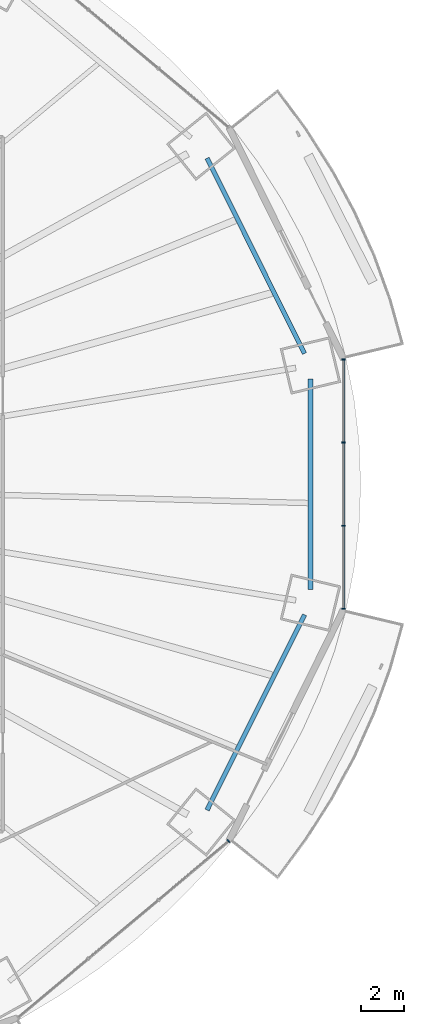
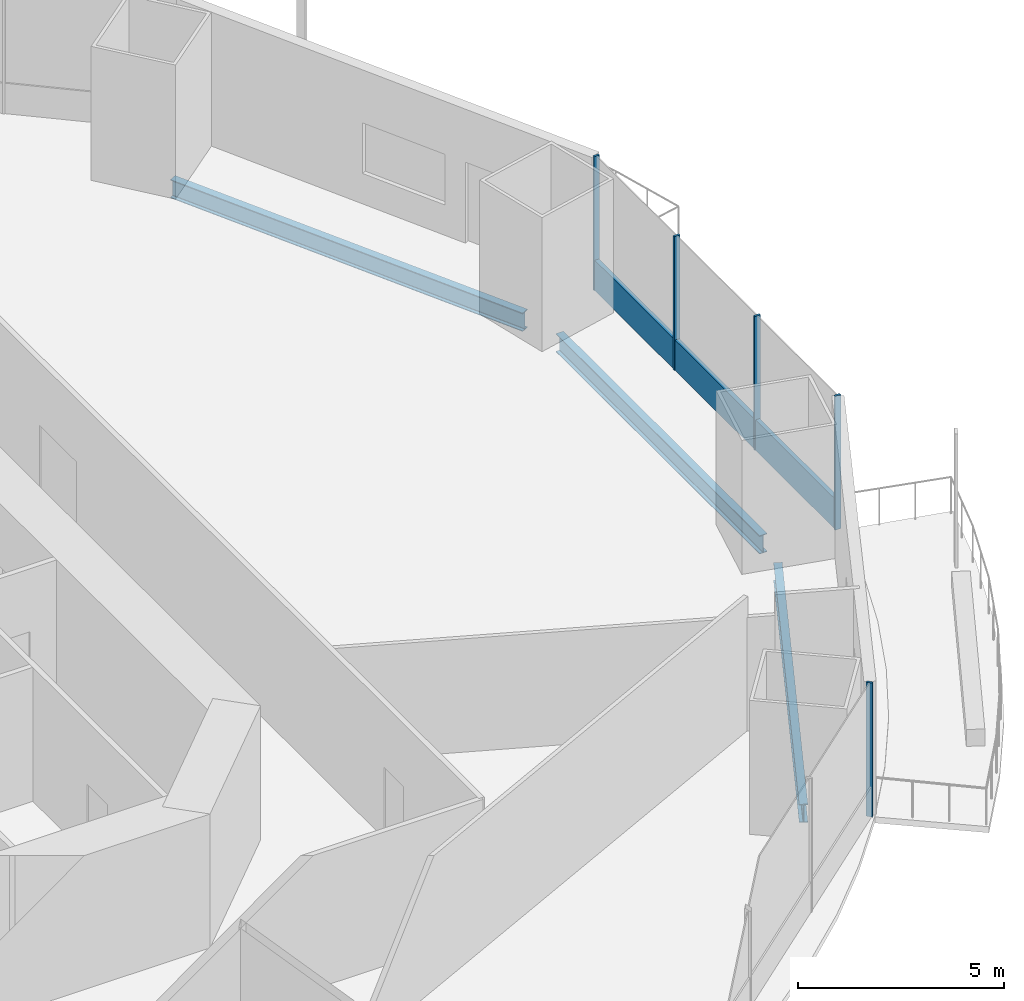
# One storey, part 11 of 23: 6 members, 3 beams, 2 elements without a shape of their own.
"""IFC4 building model written with IfcOpenShell, lengths in metres."""

from ifc_helpers import new_model, si_unit, direction, frame, origin, origin_2d, place, context, subcontext, project, spatial, rectangle, i_section, extrude, material, material_profile, profile_set, type_object, element, aggregate, save


model = new_model("IFC4")

# Units and contexts
model_context = context("Model", 3, precision=1e-05, world=origin(), true_north=direction((0.0, 1.0)))
body_context = subcontext(model_context, "Body", "Model", "MODEL_VIEW")
ifc_project = project(units=[si_unit("LENGTHUNIT", "METRE"), si_unit("AREAUNIT", "SQUARE_METRE"), si_unit("VOLUMEUNIT", "CUBIC_METRE"), si_unit("PLANEANGLEUNIT", "RADIAN"), si_unit("MASSUNIT", "GRAM", prefix="KILO")], contexts=[model_context])

# Site, building, storey
site_placement = place(None, origin())
site = spatial("IfcSite", under=ifc_project, at=site_placement, CompositionType="ELEMENT")
building_placement = place(site_placement, origin())
building = spatial("IfcBuilding", under=site, at=building_placement, Name="Marenthal Gate Tower", CompositionType="ELEMENT")
storey_placement = place(building_placement, frame((0.0, 0.0, 66.199951171875)))
storey = spatial("IfcBuildingStorey", under=building, at=storey_placement, Name="L12", CompositionType="ELEMENT", Elevation=66.199951171875)

# Curtain wall, member
ifc_material_1 = material(Name="Aluminium and glass", Category="aluminium")
curtain_wall_type = type_object("IfcCurtainWallType", Name="Curtain wall typical low", PredefinedType="NOTDEFINED", material=ifc_material_1)
curtain_wall_1_placement = place(storey_placement, origin())
curtain_wall_1 = element("IfcCurtainWall", 1, at=curtain_wall_1_placement, inside=storey, type_object=curtain_wall_type, Name="Curtain wall L12 bay 14", PredefinedType="NOTDEFINED")
ifc_material_2 = material(Name="Aluminium", Category="aluminium")
ifc_material_profile_1 = material_profile(ifc_material_2, rectangle(XDim=0.159912109375, YDim=0.06005859375, at=origin_2d()), Name="60x160 aluminium mullion")
ifc_profile_set_1 = profile_set([ifc_material_profile_1], Name="Aluminium")
member_type_1 = type_object("IfcMemberType", Name="Mullion 60x160 typical low", PredefinedType="MULLION", material=ifc_profile_set_1)
member_1_placement = place(storey_placement, frame((29.90576171875, -16.76904296875, 0.0), z_axis=(0.0, 0.0, 1.0), x_axis=(-0.642111737517, 0.766611059497, 0.0)))
member_1 = element("IfcMember", 2, at=member_1_placement, type_object=member_type_1, Name="Mullion L12 bay 14.4", PredefinedType="MULLION", context=body_context, shape_type="SweptSolid", body=[
    extrude(rectangle(XDim=0.159912109375, YDim=0.06005859375, at=origin_2d()), origin(), (0.0, 0.0, 1.0), 3.969970703125),
])
aggregate(curtain_wall_1, [member_1])

# Curtain wall, members
curtain_wall_2_placement = place(storey_placement, origin())
curtain_wall_2 = element("IfcCurtainWall", 3, at=curtain_wall_2_placement, inside=storey, type_object=curtain_wall_type, Name="Curtain wall L12 bay 16", PredefinedType="NOTDEFINED")
member_2_placement = place(storey_placement, frame((35.303466796875, -5.851806640625, 0.0), z_axis=(0.0, 0.0, 1.0), x_axis=(-1.0, 0.0, 0.0)))
member_2 = element("IfcMember", 4, at=member_2_placement, type_object=member_type_1, Name="Mullion L12 bay 16.1", PredefinedType="MULLION", context=body_context, shape_type="SweptSolid", body=[
    extrude(rectangle(XDim=0.159912109375, YDim=0.06005859375, at=origin_2d()), origin(), (0.0, 0.0, 1.0), 3.969970703125),
])
member_3_placement = place(storey_placement, frame((35.303466796875, -1.95068359375, 0.0), z_axis=(0.0, 0.0, 1.0), x_axis=(-1.0, 0.0, 0.0)))
member_3 = element("IfcMember", 5, at=member_3_placement, type_object=member_type_1, Name="Mullion L12 bay 16.2", PredefinedType="MULLION", context=body_context, shape_type="SweptSolid", body=[
    extrude(rectangle(XDim=0.159912109375, YDim=0.06005859375, at=origin_2d()), origin(), (0.0, 0.0, 1.0), 3.969970703125),
])
member_4_placement = place(storey_placement, frame((35.303466796875, 1.95068359375, 0.0), z_axis=(0.0, 0.0, 1.0), x_axis=(-1.0, 0.0, 0.0)))
member_4 = element("IfcMember", 6, at=member_4_placement, type_object=member_type_1, Name="Mullion L12 bay 16.3", PredefinedType="MULLION", context=body_context, shape_type="SweptSolid", body=[
    extrude(rectangle(XDim=0.159912109375, YDim=0.06005859375, at=origin_2d()), origin(), (0.0, 0.0, 1.0), 3.969970703125),
])
member_5_placement = place(storey_placement, frame((35.303466796875, 5.851806640625, 0.0), z_axis=(0.0, 0.0, 1.0), x_axis=(-1.0, 0.0, 0.0)))
member_5 = element("IfcMember", 7, at=member_5_placement, type_object=member_type_1, Name="Mullion L12 bay 16.4", PredefinedType="MULLION", context=body_context, shape_type="SweptSolid", body=[
    extrude(rectangle(XDim=0.159912109375, YDim=0.06005859375, at=origin_2d()), origin(), (0.0, 0.0, 1.0), 3.969970703125),
])
ifc_material_3 = material(Name="Aluminium", Category="aluminium")
ifc_material_profile_2 = material_profile(ifc_material_3, rectangle(XDim=0.1201171875, YDim=0.89990234375, at=origin_2d()), Name="120x900 aluminium transom")
ifc_profile_set_2 = profile_set([ifc_material_profile_2], Name="Aluminium")
member_type_2 = type_object("IfcMemberType", Name="Transom 120x900 typical low", PredefinedType="USERDEFINED", material=ifc_profile_set_2)
member_6_placement = place(storey_placement, frame((35.303466796875, -5.82177734375, 0.449951171875), z_axis=(0.0, 1.0, 0.0), x_axis=(-1.0, 0.0, 0.0)))
member_6 = element("IfcMember", 8, at=member_6_placement, type_object=member_type_2, Name="Transom L12 bay 16", ObjectType="TRANSOM", PredefinedType="USERDEFINED", context=body_context, shape_type="SweptSolid", body=[
    extrude(rectangle(XDim=0.1201171875, YDim=0.89990234375, at=origin_2d()), origin(), (0.0, 0.0, 1.0), 11.6435546875),
])
aggregate(curtain_wall_2, [member_2, member_3, member_4, member_5, member_6])

# Beams
ifc_material_4 = material(Name="Steel S355", Category="steel")
ifc_material_profile_3 = material_profile(ifc_material_4, i_section(OverallWidth=0.2119140625, OverallDepth=0.5439453125, WebThickness=0.01318359375, FlangeThickness=0.021240234375, FilletRadius=0.0126953125, at=origin_2d()), Name="W530X123")
ifc_profile_set_3 = profile_set([ifc_material_profile_3], Name="Steel S355")
beam_type = type_object("IfcBeamType", Name="W530X123 beam", PredefinedType="BEAM", material=ifc_profile_set_3)
for number, where, z_axis, x_axis, name in (
    (9, (33.472900390625, 6.136474609375, -0.451904296875), (-0.446499206551, 0.894784028998, 0.0), (-0.894784028998, -0.446499206551, 0.0), "BM-L12-41"),
    (10, (28.894287109375, -15.31201171875, -0.451904296875), (0.446499206551, 0.894784028998, 0.0), (-0.894784028998, 0.446499206551, 0.0), "BM-L12-55"),
):
    element("IfcBeam", number, at=place(storey_placement, frame(where, z_axis=z_axis, x_axis=x_axis)), inside=storey, type_object=beam_type, Name=name, PredefinedType="BEAM", context=body_context, shape_type="SweptSolid", body=[
        extrude(i_section(OverallWidth=0.2119140625, OverallDepth=0.5439453125, WebThickness=0.01318359375, FlangeThickness=0.021240234375, FilletRadius=0.0126953125, at=origin_2d()), origin(), (0.0, 0.0, 1.0), 10.25439453125),
    ])
beam_placement = place(storey_placement, frame((33.753662109375, -4.9423828125, -0.451904296875), z_axis=(0.0, 1.0, 0.0), x_axis=(-1.0, 0.0, 0.0)))
element("IfcBeam", 11, at=beam_placement, inside=storey, type_object=beam_type, Name="BM-L12-56", PredefinedType="BEAM", context=body_context, shape_type="SweptSolid", body=[
    extrude(i_section(OverallWidth=0.2119140625, OverallDepth=0.5439453125, WebThickness=0.01318359375, FlangeThickness=0.021240234375, FilletRadius=0.0126953125, at=origin_2d()), origin(), (0.0, 0.0, 1.0), 9.884765625),
])

save(model, "model.ifc")
